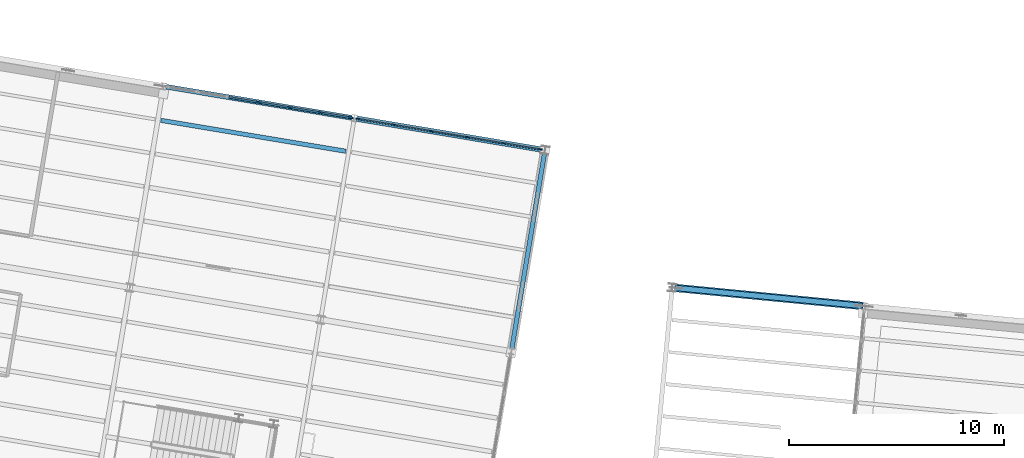
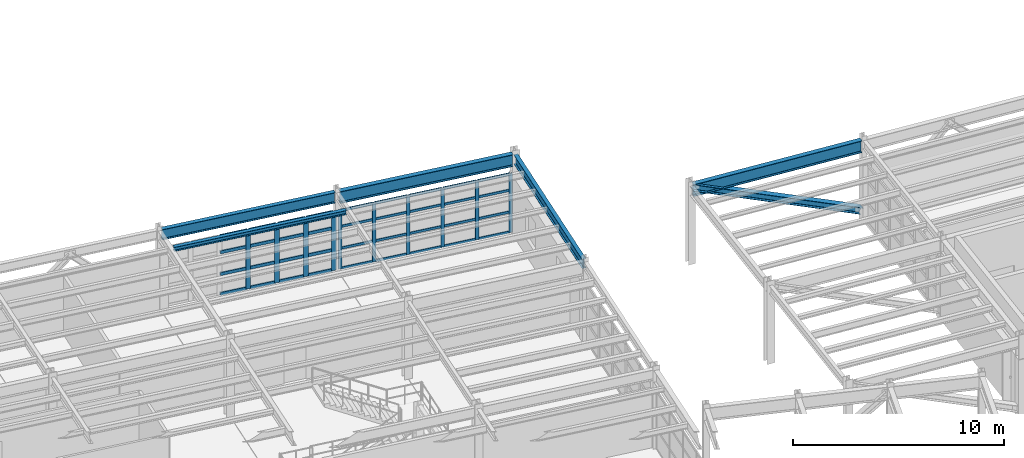
# One storey, part 46 of 109: 47 members, 5 beams, 2 elements without a shape of their own.
"""IFC4 building model written with IfcOpenShell, lengths in metres."""

from ifc_helpers import new_model, si_unit, direction, frame, origin, origin_2d, place, context, subcontext, project, spatial, rectangle, i_section, extrude, material, layer, layer_set, material_profile, profile_set, type_object, element, aggregate, save


model = new_model("IFC4")

# Units and contexts
model_context = context("Model", 3, precision=1e-05, world=origin(), true_north=direction((0.0, 1.0)))
body_context = subcontext(model_context, "Body", "Model", "MODEL_VIEW")
ifc_project = project(units=[si_unit("LENGTHUNIT", "METRE"), si_unit("AREAUNIT", "SQUARE_METRE"), si_unit("VOLUMEUNIT", "CUBIC_METRE"), si_unit("PLANEANGLEUNIT", "RADIAN"), si_unit("MASSUNIT", "GRAM", prefix="KILO")], contexts=[model_context])

# Site, building, storey
site_placement = place(None, origin())
site = spatial("IfcSite", under=ifc_project, at=site_placement, CompositionType="ELEMENT")
building_placement = place(site_placement, origin())
building = spatial("IfcBuilding", under=site, at=building_placement, Name="Vireo Bluff Cable Station", CompositionType="ELEMENT")
storey_placement = place(building_placement, frame((0.0, 0.0, 4.800048828125)))
storey = spatial("IfcBuildingStorey", under=building, at=storey_placement, Name="L01", CompositionType="ELEMENT", Elevation=4.800048828125)

# Curtain wall, members
ifc_material_1 = material(Name="Anodized Aluminium 6063-T6", Category="aluminium")
ifc_layer_1 = layer(ifc_material_1, 0.179931640625, Name="Anodized Aluminium 6063-T6")
ifc_layer_set_1 = layer_set([ifc_layer_1], Name="Anodized Aluminium 6063-T6")
curtain_wall_type_1 = type_object("IfcCurtainWallType", Name="CW-UNIT-1650", PredefinedType="USERDEFINED", material=ifc_layer_set_1)
curtain_wall_1_placement = place(storey_placement, origin())
curtain_wall_1 = element("IfcCurtainWall", 1, at=curtain_wall_1_placement, inside=storey, type_object=curtain_wall_type_1, Name="V4 L01 north curtain wall CW-092", ObjectType="UNITISED CURTAIN WALL", PredefinedType="USERDEFINED")
ifc_material_profile_1 = material_profile(ifc_material_1, rectangle(XDim=0.06494140625, YDim=0.179931640625, at=origin_2d()), Name="ALU-M-65X180")
ifc_profile_set_1 = profile_set([ifc_material_profile_1], Name="Anodized Aluminium 6063-T6")
member_type_1 = type_object("IfcMemberType", Name="CWM-01", PredefinedType="MULLION", material=ifc_profile_set_1)
member_1_placement = place(storey_placement, frame((45.869384765625, 93.640869140625, 0.0), z_axis=(0.0, 0.0, 1.0), x_axis=(0.165047675095, 0.986285589951, 0.0)))
member_1 = element("IfcMember", 2, at=member_1_placement, type_object=member_type_1, Name="CW-092 mullion 1", PredefinedType="MULLION", context=body_context, shape_type="SweptSolid", body=[
    extrude(rectangle(XDim=0.06494140625, YDim=0.179931640625, at=origin_2d()), origin(), (0.0, 0.0, 1.0), 3.39990234375),
])
member_2_placement = place(storey_placement, frame((47.55029296875, 93.359375, 0.0), z_axis=(0.0, 0.0, 1.0), x_axis=(0.165047675095, 0.986285589951, 0.0)))
member_2 = element("IfcMember", 3, at=member_2_placement, type_object=member_type_1, Name="CW-092 mullion 2", PredefinedType="MULLION", context=body_context, shape_type="SweptSolid", body=[
    extrude(rectangle(XDim=0.06494140625, YDim=0.179931640625, at=origin_2d()), origin(), (0.0, 0.0, 1.0), 3.39990234375),
])
member_3_placement = place(storey_placement, frame((49.263427734375, 93.07275390625, 0.0), z_axis=(0.0, 0.0, 1.0), x_axis=(0.165047675095, 0.986285589951, 0.0)))
member_3 = element("IfcMember", 4, at=member_3_placement, type_object=member_type_1, Name="CW-092 mullion 3", PredefinedType="MULLION", context=body_context, shape_type="SweptSolid", body=[
    extrude(rectangle(XDim=0.06494140625, YDim=0.179931640625, at=origin_2d()), origin(), (0.0, 0.0, 1.0), 3.39990234375),
])
member_4_placement = place(storey_placement, frame((50.976318359375, 92.7861328125, 0.0), z_axis=(0.0, 0.0, 1.0), x_axis=(0.165047675095, 0.986285589951, 0.0)))
member_4 = element("IfcMember", 5, at=member_4_placement, type_object=member_type_1, Name="CW-092 mullion 4", PredefinedType="MULLION", context=body_context, shape_type="SweptSolid", body=[
    extrude(rectangle(XDim=0.06494140625, YDim=0.179931640625, at=origin_2d()), origin(), (0.0, 0.0, 1.0), 3.39990234375),
])
member_5_placement = place(storey_placement, frame((52.689208984375, 92.49951171875, 0.0), z_axis=(0.0, 0.0, 1.0), x_axis=(0.165047675095, 0.986285589951, 0.0)))
member_5 = element("IfcMember", 6, at=member_5_placement, type_object=member_type_1, Name="CW-092 mullion 5", PredefinedType="MULLION", context=body_context, shape_type="SweptSolid", body=[
    extrude(rectangle(XDim=0.06494140625, YDim=0.179931640625, at=origin_2d()), origin(), (0.0, 0.0, 1.0), 3.39990234375),
])
member_6_placement = place(storey_placement, frame((54.3701171875, 92.21826171875, 0.0), z_axis=(0.0, 0.0, 1.0), x_axis=(0.165047675095, 0.986285589951, 0.0)))
member_6 = element("IfcMember", 7, at=member_6_placement, type_object=member_type_1, Name="CW-092 mullion 6", PredefinedType="MULLION", context=body_context, shape_type="SweptSolid", body=[
    extrude(rectangle(XDim=0.06494140625, YDim=0.179931640625, at=origin_2d()), origin(), (0.0, 0.0, 1.0), 3.39990234375),
])

ifc_layer_2 = layer(ifc_material_1, 0.179931640625, Name="Anodized Aluminium 6063-T6")
ifc_layer_set_2 = layer_set([ifc_layer_2], Name="Anodized Aluminium 6063-T6")
curtain_wall_type_2 = type_object("IfcCurtainWallType", Name="CW-UNIT-1500", PredefinedType="USERDEFINED", material=ifc_layer_set_2)
curtain_wall_2_placement = place(storey_placement, origin())
curtain_wall_2 = element("IfcCurtainWall", 8, at=curtain_wall_2_placement, inside=storey, type_object=curtain_wall_type_2, Name="V4 L01 north curtain wall CW-091", ObjectType="UNITISED CURTAIN WALL", PredefinedType="USERDEFINED")
ifc_material_profile_2 = material_profile(ifc_material_1, rectangle(XDim=0.080078125, YDim=0.239990234375, at=origin_2d()), Name="ALU-M-80X240")
ifc_profile_set_2 = profile_set([ifc_material_profile_2], Name="Anodized Aluminium 6063-T6")
member_type_2 = type_object("IfcMemberType", Name="CWM-04", PredefinedType="MULLION", material=ifc_profile_set_2)
member_7_placement = place(storey_placement, frame((41.27197265625, 94.41015625, 0.0), z_axis=(0.0, 0.0, 1.0), x_axis=(0.165047581847, 0.986285605556, 0.0)))
member_7 = element("IfcMember", 9, at=member_7_placement, type_object=member_type_2, Name="CW-091 mullion 4", PredefinedType="MULLION", context=body_context, shape_type="SweptSolid", body=[
    extrude(rectangle(XDim=0.080078125, YDim=0.239990234375, at=origin_2d()), origin(), (0.0, 0.0, 1.0), 3.39990234375),
])
member_8_placement = place(storey_placement, frame((42.708984375, 94.169677734375, 0.0), z_axis=(0.0, 0.0, 1.0), x_axis=(0.165047581847, 0.986285605556, 0.0)))
member_8 = element("IfcMember", 10, at=member_8_placement, type_object=member_type_2, Name="CW-091 mullion 5", PredefinedType="MULLION", context=body_context, shape_type="SweptSolid", body=[
    extrude(rectangle(XDim=0.080078125, YDim=0.239990234375, at=origin_2d()), origin(), (0.0, 0.0, 1.0), 3.39990234375),
])
member_9_placement = place(storey_placement, frame((44.14599609375, 93.92919921875, 0.0), z_axis=(0.0, 0.0, 1.0), x_axis=(0.165047581847, 0.986285605556, 0.0)))
member_9 = element("IfcMember", 11, at=member_9_placement, type_object=member_type_2, Name="CW-091 mullion 6", PredefinedType="MULLION", context=body_context, shape_type="SweptSolid", body=[
    extrude(rectangle(XDim=0.080078125, YDim=0.239990234375, at=origin_2d()), origin(), (0.0, 0.0, 1.0), 3.39990234375),
])
member_10_placement = place(storey_placement, frame((45.54345703125, 93.6953125, 0.0), z_axis=(0.0, 0.0, 1.0), x_axis=(0.165047581847, 0.986285605556, 0.0)))
member_10 = element("IfcMember", 12, at=member_10_placement, type_object=member_type_2, Name="CW-091 mullion 7", PredefinedType="MULLION", context=body_context, shape_type="SweptSolid", body=[
    extrude(rectangle(XDim=0.080078125, YDim=0.239990234375, at=origin_2d()), origin(), (0.0, 0.0, 1.0), 3.39990234375),
])

# Member
ifc_material_profile_3 = material_profile(ifc_material_1, rectangle(XDim=0.06494140625, YDim=0.139892578125, at=origin_2d()), Name="ALU-T-65X140")
ifc_profile_set_3 = profile_set([ifc_material_profile_3], Name="Anodized Aluminium 6063-T6")
member_type_3 = type_object("IfcMemberType", Name="CWT-01", PredefinedType="USERDEFINED", material=ifc_profile_set_3)
member_11_placement = place(storey_placement, frame((45.9013671875, 93.635498046875, 0.032470703125), z_axis=(0.986268872531, -0.165147543355, 0.0), x_axis=(0.165147543355, 0.986268872531, 0.0)))
member_11 = element("IfcMember", 13, at=member_11_placement, type_object=member_type_3, Name="CW-092 transom 1.1", ObjectType="TRANSOM", PredefinedType="USERDEFINED", context=body_context, shape_type="SweptSolid", body=[
    extrude(rectangle(XDim=0.06494140625, YDim=0.139892578125, at=origin_2d()), origin(), (0.0, 0.0, 1.0), 1.639404296875),
])

member_12_placement = place(storey_placement, frame((45.9013671875, 93.635498046875, 1.18994140625), z_axis=(0.986268872531, -0.165147543355, 0.0), x_axis=(0.165147543355, 0.986268872531, 0.0)))
member_12 = element("IfcMember", 14, at=member_12_placement, type_object=member_type_3, Name="CW-092 transom 1.2", ObjectType="TRANSOM", PredefinedType="USERDEFINED", context=body_context, shape_type="SweptSolid", body=[
    extrude(rectangle(XDim=0.06494140625, YDim=0.139892578125, at=origin_2d()), origin(), (0.0, 0.0, 1.0), 1.639404296875),
])

member_13_placement = place(storey_placement, frame((45.9013671875, 93.635498046875, 2.447998046875), z_axis=(0.986268872531, -0.165147543355, 0.0), x_axis=(0.165147543355, 0.986268872531, 0.0)))
member_13 = element("IfcMember", 15, at=member_13_placement, type_object=member_type_3, Name="CW-092 transom 1.3", ObjectType="TRANSOM", PredefinedType="USERDEFINED", context=body_context, shape_type="SweptSolid", body=[
    extrude(rectangle(XDim=0.06494140625, YDim=0.139892578125, at=origin_2d()), origin(), (0.0, 0.0, 1.0), 1.639404296875),
])

member_14_placement = place(storey_placement, frame((45.9013671875, 93.635498046875, 3.367431640625), z_axis=(0.986268872531, -0.165147543355, 0.0), x_axis=(0.165147543355, 0.986268872531, 0.0)))
member_14 = element("IfcMember", 16, at=member_14_placement, type_object=member_type_3, Name="CW-092 transom 1.4", ObjectType="TRANSOM", PredefinedType="USERDEFINED", context=body_context, shape_type="SweptSolid", body=[
    extrude(rectangle(XDim=0.06494140625, YDim=0.139892578125, at=origin_2d()), origin(), (0.0, 0.0, 1.0), 1.639404296875),
])

member_15_placement = place(storey_placement, frame((47.58251953125, 93.35400390625, 0.032470703125), z_axis=(0.986287138283, -0.165038422369, 0.0), x_axis=(0.165038422369, 0.986287138283, 0.0)))
member_15 = element("IfcMember", 17, at=member_15_placement, type_object=member_type_3, Name="CW-092 transom 2.1", ObjectType="TRANSOM", PredefinedType="USERDEFINED", context=body_context, shape_type="SweptSolid", body=[
    extrude(rectangle(XDim=0.06494140625, YDim=0.139892578125, at=origin_2d()), origin(), (0.0, 0.0, 1.0), 1.671630859375),
])

member_16_placement = place(storey_placement, frame((47.58251953125, 93.35400390625, 1.18994140625), z_axis=(0.986287138283, -0.165038422369, 0.0), x_axis=(0.165038422369, 0.986287138283, 0.0)))
member_16 = element("IfcMember", 18, at=member_16_placement, type_object=member_type_3, Name="CW-092 transom 2.2", ObjectType="TRANSOM", PredefinedType="USERDEFINED", context=body_context, shape_type="SweptSolid", body=[
    extrude(rectangle(XDim=0.06494140625, YDim=0.139892578125, at=origin_2d()), origin(), (0.0, 0.0, 1.0), 1.671630859375),
])

member_17_placement = place(storey_placement, frame((47.58251953125, 93.35400390625, 2.447998046875), z_axis=(0.986287138283, -0.165038422369, 0.0), x_axis=(0.165038422369, 0.986287138283, 0.0)))
member_17 = element("IfcMember", 19, at=member_17_placement, type_object=member_type_3, Name="CW-092 transom 2.3", ObjectType="TRANSOM", PredefinedType="USERDEFINED", context=body_context, shape_type="SweptSolid", body=[
    extrude(rectangle(XDim=0.06494140625, YDim=0.139892578125, at=origin_2d()), origin(), (0.0, 0.0, 1.0), 1.671630859375),
])

member_18_placement = place(storey_placement, frame((47.58251953125, 93.35400390625, 3.367431640625), z_axis=(0.986287138283, -0.165038422369, 0.0), x_axis=(0.165038422369, 0.986287138283, 0.0)))
member_18 = element("IfcMember", 20, at=member_18_placement, type_object=member_type_3, Name="CW-092 transom 2.4", ObjectType="TRANSOM", PredefinedType="USERDEFINED", context=body_context, shape_type="SweptSolid", body=[
    extrude(rectangle(XDim=0.06494140625, YDim=0.139892578125, at=origin_2d()), origin(), (0.0, 0.0, 1.0), 1.671630859375),
])

member_19_placement = place(storey_placement, frame((49.29541015625, 93.0673828125, 0.032470703125), z_axis=(0.986291115533, -0.16501465214, 0.0), x_axis=(0.16501465214, 0.986291115533, 0.0)))
member_19 = element("IfcMember", 21, at=member_19_placement, type_object=member_type_3, Name="CW-092 transom 3.1", ObjectType="TRANSOM", PredefinedType="USERDEFINED", context=body_context, shape_type="SweptSolid", body=[
    extrude(rectangle(XDim=0.06494140625, YDim=0.139892578125, at=origin_2d()), origin(), (0.0, 0.0, 1.0), 1.671875),
])

member_20_placement = place(storey_placement, frame((49.29541015625, 93.0673828125, 1.18994140625), z_axis=(0.986291115533, -0.16501465214, 0.0), x_axis=(0.16501465214, 0.986291115533, 0.0)))
member_20 = element("IfcMember", 22, at=member_20_placement, type_object=member_type_3, Name="CW-092 transom 3.2", ObjectType="TRANSOM", PredefinedType="USERDEFINED", context=body_context, shape_type="SweptSolid", body=[
    extrude(rectangle(XDim=0.06494140625, YDim=0.139892578125, at=origin_2d()), origin(), (0.0, 0.0, 1.0), 1.671875),
])

member_21_placement = place(storey_placement, frame((49.29541015625, 93.0673828125, 2.447998046875), z_axis=(0.986291115533, -0.16501465214, 0.0), x_axis=(0.16501465214, 0.986291115533, 0.0)))
member_21 = element("IfcMember", 23, at=member_21_placement, type_object=member_type_3, Name="CW-092 transom 3.3", ObjectType="TRANSOM", PredefinedType="USERDEFINED", context=body_context, shape_type="SweptSolid", body=[
    extrude(rectangle(XDim=0.06494140625, YDim=0.139892578125, at=origin_2d()), origin(), (0.0, 0.0, 1.0), 1.671875),
])

member_22_placement = place(storey_placement, frame((49.29541015625, 93.0673828125, 3.367431640625), z_axis=(0.986291115533, -0.16501465214, 0.0), x_axis=(0.16501465214, 0.986291115533, 0.0)))
member_22 = element("IfcMember", 24, at=member_22_placement, type_object=member_type_3, Name="CW-092 transom 3.4", ObjectType="TRANSOM", PredefinedType="USERDEFINED", context=body_context, shape_type="SweptSolid", body=[
    extrude(rectangle(XDim=0.06494140625, YDim=0.139892578125, at=origin_2d()), origin(), (0.0, 0.0, 1.0), 1.671875),
])

member_23_placement = place(storey_placement, frame((51.00830078125, 92.78076171875, 0.032470703125), z_axis=(0.986291115533, -0.16501465214, 0.0), x_axis=(0.16501465214, 0.986291115533, 0.0)))
member_23 = element("IfcMember", 25, at=member_23_placement, type_object=member_type_3, Name="CW-092 transom 4.1", ObjectType="TRANSOM", PredefinedType="USERDEFINED", context=body_context, shape_type="SweptSolid", body=[
    extrude(rectangle(XDim=0.06494140625, YDim=0.139892578125, at=origin_2d()), origin(), (0.0, 0.0, 1.0), 1.671875),
])

member_24_placement = place(storey_placement, frame((51.00830078125, 92.78076171875, 1.18994140625), z_axis=(0.986291115533, -0.16501465214, 0.0), x_axis=(0.16501465214, 0.986291115533, 0.0)))
member_24 = element("IfcMember", 26, at=member_24_placement, type_object=member_type_3, Name="CW-092 transom 4.2", ObjectType="TRANSOM", PredefinedType="USERDEFINED", context=body_context, shape_type="SweptSolid", body=[
    extrude(rectangle(XDim=0.06494140625, YDim=0.139892578125, at=origin_2d()), origin(), (0.0, 0.0, 1.0), 1.671875),
])

member_25_placement = place(storey_placement, frame((51.00830078125, 92.78076171875, 2.447998046875), z_axis=(0.986291115533, -0.16501465214, 0.0), x_axis=(0.16501465214, 0.986291115533, 0.0)))
member_25 = element("IfcMember", 27, at=member_25_placement, type_object=member_type_3, Name="CW-092 transom 4.3", ObjectType="TRANSOM", PredefinedType="USERDEFINED", context=body_context, shape_type="SweptSolid", body=[
    extrude(rectangle(XDim=0.06494140625, YDim=0.139892578125, at=origin_2d()), origin(), (0.0, 0.0, 1.0), 1.671875),
])

member_26_placement = place(storey_placement, frame((51.00830078125, 92.78076171875, 3.367431640625), z_axis=(0.986291115533, -0.16501465214, 0.0), x_axis=(0.16501465214, 0.986291115533, 0.0)))
member_26 = element("IfcMember", 28, at=member_26_placement, type_object=member_type_3, Name="CW-092 transom 4.4", ObjectType="TRANSOM", PredefinedType="USERDEFINED", context=body_context, shape_type="SweptSolid", body=[
    extrude(rectangle(XDim=0.06494140625, YDim=0.139892578125, at=origin_2d()), origin(), (0.0, 0.0, 1.0), 1.671875),
])

member_27_placement = place(storey_placement, frame((52.721435546875, 92.494140625, 0.032470703125), z_axis=(0.98628906251, -0.16502692257, 0.0), x_axis=(0.16502692257, 0.98628906251, 0.0)))
member_27 = element("IfcMember", 29, at=member_27_placement, type_object=member_type_3, Name="CW-092 transom 5.1", ObjectType="TRANSOM", PredefinedType="USERDEFINED", context=body_context, shape_type="SweptSolid", body=[
    extrude(rectangle(XDim=0.06494140625, YDim=0.139892578125, at=origin_2d()), origin(), (0.0, 0.0, 1.0), 1.63916015625),
])

member_28_placement = place(storey_placement, frame((52.721435546875, 92.494140625, 1.18994140625), z_axis=(0.98628906251, -0.16502692257, 0.0), x_axis=(0.16502692257, 0.98628906251, 0.0)))
member_28 = element("IfcMember", 30, at=member_28_placement, type_object=member_type_3, Name="CW-092 transom 5.2", ObjectType="TRANSOM", PredefinedType="USERDEFINED", context=body_context, shape_type="SweptSolid", body=[
    extrude(rectangle(XDim=0.06494140625, YDim=0.139892578125, at=origin_2d()), origin(), (0.0, 0.0, 1.0), 1.63916015625),
])

member_29_placement = place(storey_placement, frame((52.721435546875, 92.494140625, 2.447998046875), z_axis=(0.98628906251, -0.16502692257, 0.0), x_axis=(0.16502692257, 0.98628906251, 0.0)))
member_29 = element("IfcMember", 31, at=member_29_placement, type_object=member_type_3, Name="CW-092 transom 5.3", ObjectType="TRANSOM", PredefinedType="USERDEFINED", context=body_context, shape_type="SweptSolid", body=[
    extrude(rectangle(XDim=0.06494140625, YDim=0.139892578125, at=origin_2d()), origin(), (0.0, 0.0, 1.0), 1.63916015625),
])

member_30_placement = place(storey_placement, frame((52.721435546875, 92.494140625, 3.367431640625), z_axis=(0.98628906251, -0.16502692257, 0.0), x_axis=(0.16502692257, 0.98628906251, 0.0)))
member_30 = element("IfcMember", 32, at=member_30_placement, type_object=member_type_3, Name="CW-092 transom 5.4", ObjectType="TRANSOM", PredefinedType="USERDEFINED", context=body_context, shape_type="SweptSolid", body=[
    extrude(rectangle(XDim=0.06494140625, YDim=0.139892578125, at=origin_2d()), origin(), (0.0, 0.0, 1.0), 1.63916015625),
])

aggregate(curtain_wall_1, [member_1, member_2, member_3, member_4, member_5, member_6, member_11, member_12, member_13, member_14, member_15, member_16, member_17, member_18, member_19, member_20, member_21, member_22, member_23, member_24, member_25, member_26, member_27, member_28, member_29, member_30])

ifc_material_profile_4 = material_profile(ifc_material_1, rectangle(XDim=0.080078125, YDim=0.175048828125, at=origin_2d()), Name="ALU-T-80X175")
ifc_profile_set_4 = profile_set([ifc_material_profile_4], Name="Anodized Aluminium 6063-T6")
member_type_4 = type_object("IfcMemberType", Name="CWT-04", PredefinedType="USERDEFINED", material=ifc_profile_set_4)
member_31_placement = place(storey_placement, frame((39.874267578125, 94.64404296875, 0.0400390625), z_axis=(0.986283492741, -0.165060207036, 0.0), x_axis=(0.165060207036, 0.986283492741, 0.0)))
member_31 = element("IfcMember", 33, at=member_31_placement, type_object=member_type_4, Name="CW-091 transom 3.1", ObjectType="TRANSOM", PredefinedType="USERDEFINED", context=body_context, shape_type="SweptSolid", body=[
    extrude(rectangle(XDim=0.080078125, YDim=0.175048828125, at=origin_2d()), origin(), (0.0, 0.0, 1.0), 1.376953125),
])

member_32_placement = place(storey_placement, frame((39.874267578125, 94.64404296875, 1.18994140625), z_axis=(0.986283492741, -0.165060207036, 0.0), x_axis=(0.165060207036, 0.986283492741, 0.0)))
member_32 = element("IfcMember", 34, at=member_32_placement, type_object=member_type_4, Name="CW-091 transom 3.2", ObjectType="TRANSOM", PredefinedType="USERDEFINED", context=body_context, shape_type="SweptSolid", body=[
    extrude(rectangle(XDim=0.080078125, YDim=0.175048828125, at=origin_2d()), origin(), (0.0, 0.0, 1.0), 1.376953125),
])

member_33_placement = place(storey_placement, frame((39.874267578125, 94.64404296875, 2.447998046875), z_axis=(0.986283492741, -0.165060207036, 0.0), x_axis=(0.165060207036, 0.986283492741, 0.0)))
member_33 = element("IfcMember", 35, at=member_33_placement, type_object=member_type_4, Name="CW-091 transom 3.3", ObjectType="TRANSOM", PredefinedType="USERDEFINED", context=body_context, shape_type="SweptSolid", body=[
    extrude(rectangle(XDim=0.080078125, YDim=0.175048828125, at=origin_2d()), origin(), (0.0, 0.0, 1.0), 1.376953125),
])

member_34_placement = place(storey_placement, frame((39.874267578125, 94.64404296875, 3.35986328125), z_axis=(0.986283492741, -0.165060207036, 0.0), x_axis=(0.165060207036, 0.986283492741, 0.0)))
member_34 = element("IfcMember", 36, at=member_34_placement, type_object=member_type_4, Name="CW-091 transom 3.4", ObjectType="TRANSOM", PredefinedType="USERDEFINED", context=body_context, shape_type="SweptSolid", body=[
    extrude(rectangle(XDim=0.080078125, YDim=0.175048828125, at=origin_2d()), origin(), (0.0, 0.0, 1.0), 1.376953125),
])

member_35_placement = place(storey_placement, frame((41.311279296875, 94.403564453125, 0.0400390625), z_axis=(0.986283492741, -0.165060207036, 0.0), x_axis=(0.165060207036, 0.986283492741, 0.0)))
member_35 = element("IfcMember", 37, at=member_35_placement, type_object=member_type_4, Name="CW-091 transom 4.1", ObjectType="TRANSOM", PredefinedType="USERDEFINED", context=body_context, shape_type="SweptSolid", body=[
    extrude(rectangle(XDim=0.080078125, YDim=0.175048828125, at=origin_2d()), origin(), (0.0, 0.0, 1.0), 1.376953125),
])

member_36_placement = place(storey_placement, frame((41.311279296875, 94.403564453125, 1.18994140625), z_axis=(0.986283492741, -0.165060207036, 0.0), x_axis=(0.165060207036, 0.986283492741, 0.0)))
member_36 = element("IfcMember", 38, at=member_36_placement, type_object=member_type_4, Name="CW-091 transom 4.2", ObjectType="TRANSOM", PredefinedType="USERDEFINED", context=body_context, shape_type="SweptSolid", body=[
    extrude(rectangle(XDim=0.080078125, YDim=0.175048828125, at=origin_2d()), origin(), (0.0, 0.0, 1.0), 1.376953125),
])

member_37_placement = place(storey_placement, frame((41.311279296875, 94.403564453125, 2.447998046875), z_axis=(0.986283492741, -0.165060207036, 0.0), x_axis=(0.165060207036, 0.986283492741, 0.0)))
member_37 = element("IfcMember", 39, at=member_37_placement, type_object=member_type_4, Name="CW-091 transom 4.3", ObjectType="TRANSOM", PredefinedType="USERDEFINED", context=body_context, shape_type="SweptSolid", body=[
    extrude(rectangle(XDim=0.080078125, YDim=0.175048828125, at=origin_2d()), origin(), (0.0, 0.0, 1.0), 1.376953125),
])

member_38_placement = place(storey_placement, frame((41.311279296875, 94.403564453125, 3.35986328125), z_axis=(0.986283492741, -0.165060207036, 0.0), x_axis=(0.165060207036, 0.986283492741, 0.0)))
member_38 = element("IfcMember", 40, at=member_38_placement, type_object=member_type_4, Name="CW-091 transom 4.4", ObjectType="TRANSOM", PredefinedType="USERDEFINED", context=body_context, shape_type="SweptSolid", body=[
    extrude(rectangle(XDim=0.080078125, YDim=0.175048828125, at=origin_2d()), origin(), (0.0, 0.0, 1.0), 1.376953125),
])

member_39_placement = place(storey_placement, frame((42.748291015625, 94.1630859375, 0.0400390625), z_axis=(0.986283492741, -0.165060207036, 0.0), x_axis=(0.165060207036, 0.986283492741, 0.0)))
member_39 = element("IfcMember", 41, at=member_39_placement, type_object=member_type_4, Name="CW-091 transom 5.1", ObjectType="TRANSOM", PredefinedType="USERDEFINED", context=body_context, shape_type="SweptSolid", body=[
    extrude(rectangle(XDim=0.080078125, YDim=0.175048828125, at=origin_2d()), origin(), (0.0, 0.0, 1.0), 1.376953125),
])

member_40_placement = place(storey_placement, frame((42.748291015625, 94.1630859375, 1.18994140625), z_axis=(0.986283492741, -0.165060207036, 0.0), x_axis=(0.165060207036, 0.986283492741, 0.0)))
member_40 = element("IfcMember", 42, at=member_40_placement, type_object=member_type_4, Name="CW-091 transom 5.2", ObjectType="TRANSOM", PredefinedType="USERDEFINED", context=body_context, shape_type="SweptSolid", body=[
    extrude(rectangle(XDim=0.080078125, YDim=0.175048828125, at=origin_2d()), origin(), (0.0, 0.0, 1.0), 1.376953125),
])

member_41_placement = place(storey_placement, frame((42.748291015625, 94.1630859375, 2.447998046875), z_axis=(0.986283492741, -0.165060207036, 0.0), x_axis=(0.165060207036, 0.986283492741, 0.0)))
member_41 = element("IfcMember", 43, at=member_41_placement, type_object=member_type_4, Name="CW-091 transom 5.3", ObjectType="TRANSOM", PredefinedType="USERDEFINED", context=body_context, shape_type="SweptSolid", body=[
    extrude(rectangle(XDim=0.080078125, YDim=0.175048828125, at=origin_2d()), origin(), (0.0, 0.0, 1.0), 1.376953125),
])

member_42_placement = place(storey_placement, frame((42.748291015625, 94.1630859375, 3.35986328125), z_axis=(0.986283492741, -0.165060207036, 0.0), x_axis=(0.165060207036, 0.986283492741, 0.0)))
member_42 = element("IfcMember", 44, at=member_42_placement, type_object=member_type_4, Name="CW-091 transom 5.4", ObjectType="TRANSOM", PredefinedType="USERDEFINED", context=body_context, shape_type="SweptSolid", body=[
    extrude(rectangle(XDim=0.080078125, YDim=0.175048828125, at=origin_2d()), origin(), (0.0, 0.0, 1.0), 1.376953125),
])

member_43_placement = place(storey_placement, frame((44.185302734375, 93.922607421875, 0.0400390625), z_axis=(0.986280173958, -0.165080036522, 0.0), x_axis=(0.165080036522, 0.986280173958, 0.0)))
member_43 = element("IfcMember", 45, at=member_43_placement, type_object=member_type_4, Name="CW-091 transom 6.1", ObjectType="TRANSOM", PredefinedType="USERDEFINED", context=body_context, shape_type="SweptSolid", body=[
    extrude(rectangle(XDim=0.080078125, YDim=0.175048828125, at=origin_2d()), origin(), (0.0, 0.0, 1.0), 1.3369140625),
])

member_44_placement = place(storey_placement, frame((44.185302734375, 93.922607421875, 1.18994140625), z_axis=(0.986280173958, -0.165080036522, 0.0), x_axis=(0.165080036522, 0.986280173958, 0.0)))
member_44 = element("IfcMember", 46, at=member_44_placement, type_object=member_type_4, Name="CW-091 transom 6.2", ObjectType="TRANSOM", PredefinedType="USERDEFINED", context=body_context, shape_type="SweptSolid", body=[
    extrude(rectangle(XDim=0.080078125, YDim=0.175048828125, at=origin_2d()), origin(), (0.0, 0.0, 1.0), 1.3369140625),
])

member_45_placement = place(storey_placement, frame((44.185302734375, 93.922607421875, 2.447998046875), z_axis=(0.986280173958, -0.165080036522, 0.0), x_axis=(0.165080036522, 0.986280173958, 0.0)))
member_45 = element("IfcMember", 47, at=member_45_placement, type_object=member_type_4, Name="CW-091 transom 6.3", ObjectType="TRANSOM", PredefinedType="USERDEFINED", context=body_context, shape_type="SweptSolid", body=[
    extrude(rectangle(XDim=0.080078125, YDim=0.175048828125, at=origin_2d()), origin(), (0.0, 0.0, 1.0), 1.3369140625),
])

member_46_placement = place(storey_placement, frame((44.185302734375, 93.922607421875, 3.35986328125), z_axis=(0.986280173958, -0.165080036522, 0.0), x_axis=(0.165080036522, 0.986280173958, 0.0)))
member_46 = element("IfcMember", 48, at=member_46_placement, type_object=member_type_4, Name="CW-091 transom 6.4", ObjectType="TRANSOM", PredefinedType="USERDEFINED", context=body_context, shape_type="SweptSolid", body=[
    extrude(rectangle(XDim=0.080078125, YDim=0.175048828125, at=origin_2d()), origin(), (0.0, 0.0, 1.0), 1.3369140625),
])

aggregate(curtain_wall_2, [member_7, member_8, member_9, member_10, member_31, member_32, member_33, member_34, member_35, member_36, member_37, member_38, member_39, member_40, member_41, member_42, member_43, member_44, member_45, member_46])

# Beams
ifc_material_2 = material(Name="Steel ASTM A992 Gr. 50", Category="steel")
ifc_material_profile_5 = material_profile(ifc_material_2, i_section(OverallWidth=0.201904296875, OverallDepth=0.2470703125, WebThickness=0.00732421875, FlangeThickness=0.010986328125, FilletRadius=0.009033203125, at=origin_2d()), Name="W10X33")
ifc_profile_set_5 = profile_set([ifc_material_profile_5], Name="Steel ASTM A992 Gr. 50")
beam_type_1 = type_object("IfcBeamType", Name="JST-W10X33", PredefinedType="JOIST", material=ifc_profile_set_5)
beam_1_placement = place(storey_placement, frame((36.710205078125, 93.568115234375, 4.41650390625), z_axis=(0.986286264339, -0.165043645063, 0.0), x_axis=(0.165043645063, 0.986286264339, 0.0)))
element("IfcBeam", 49, at=beam_1_placement, inside=storey, type_object=beam_type_1, Name="V4 L01 composite joist 962", PredefinedType="JOIST", context=body_context, shape_type="SweptSolid", body=[
    extrude(i_section(OverallWidth=0.201904296875, OverallDepth=0.2470703125, WebThickness=0.00732421875, FlangeThickness=0.010986328125, FilletRadius=0.009033203125, at=origin_2d()), origin(), (0.0, 0.0, 1.0), 8.72021484375),
])
ifc_material_profile_6 = material_profile(ifc_material_2, i_section(OverallWidth=0.2099609375, OverallDepth=0.535888671875, WebThickness=0.010986328125, FlangeThickness=0.017333984375, FilletRadius=0.012939453125, at=origin_2d()), Name="W21X68")
ifc_profile_set_6 = profile_set([ifc_material_profile_6], Name="Steel ASTM A992 Gr. 50")
beam_type_2 = type_object("IfcBeamType", Name="SPN-W21X68", PredefinedType="SPANDREL", material=ifc_profile_set_6)
beam_2_placement = place(storey_placement, frame((53.03857421875, 82.9306640625, 4.27197265625), z_axis=(0.165044536891, 0.986286115102, 0.0), x_axis=(-0.986286115102, 0.165044536891, 0.0)))
element("IfcBeam", 50, at=beam_2_placement, inside=storey, type_object=beam_type_2, Name="V4 L01 spandrel 909", PredefinedType="SPANDREL", context=body_context, shape_type="SweptSolid", body=[
    extrude(i_section(OverallWidth=0.2099609375, OverallDepth=0.535888671875, WebThickness=0.010986328125, FlangeThickness=0.017333984375, FilletRadius=0.012939453125, at=origin_2d()), origin(), (0.0, 0.0, 1.0), 9.260009765625),
])
ifc_material_profile_7 = material_profile(ifc_material_2, i_section(OverallWidth=0.22802734375, OverallDepth=0.60693359375, WebThickness=0.01123046875, FlangeThickness=0.017333984375, FilletRadius=0.012939453125, at=origin_2d()), Name="W24X76")
ifc_profile_set_7 = profile_set([ifc_material_profile_7], Name="Steel ASTM A992 Gr. 50")
beam_type_3 = type_object("IfcBeamType", Name="SPN-W24X76", PredefinedType="SPANDREL", material=ifc_profile_set_7)
beam_3_placement = place(storey_placement, frame((36.951904296875, 95.133056640625, 4.236572265625), z_axis=(0.986285998922, -0.165045231163, 0.0), x_axis=(0.165045231163, 0.986285998922, 0.0)))
element("IfcBeam", 51, at=beam_3_placement, inside=storey, type_object=beam_type_3, Name="V4 L01 spandrel 890", PredefinedType="SPANDREL", context=body_context, shape_type="SweptSolid", body=[
    extrude(i_section(OverallWidth=0.22802734375, OverallDepth=0.60693359375, WebThickness=0.01123046875, FlangeThickness=0.017333984375, FilletRadius=0.012939453125, at=origin_2d()), origin(), (0.0, 0.0, 1.0), 8.760009765625),
])
ifc_material_profile_8 = material_profile(ifc_material_2, i_section(OverallWidth=0.257080078125, OverallDepth=0.693115234375, WebThickness=0.014404296875, FlangeThickness=0.023681640625, FilletRadius=0.014892578125, at=origin_2d()), Name="W27X114")
ifc_profile_set_8 = profile_set([ifc_material_profile_8], Name="Steel ASTM A992 Gr. 50")
beam_type_4 = type_object("IfcBeamType", Name="SPN-W27X114", PredefinedType="SPANDREL", material=ifc_profile_set_8)
for number, where, z_axis, x_axis, name in (
    (52, (60.624267578125, 85.772216796875, 4.193359375), (0.995396100932, -0.095846764416, 0.0), (0.095846764416, 0.995396100932, 0.0), "V3 L01 spandrel 699"),
    (53, (45.82861328125, 93.647705078125, 4.193359375), (0.986285239719, -0.16504976799, 0.0), (0.16504976799, 0.986285239719, 0.0), "V4 L01 spandrel 891"),
):
    element("IfcBeam", number, at=place(storey_placement, frame(where, z_axis=z_axis, x_axis=x_axis)), inside=storey, type_object=beam_type_4, Name=name, PredefinedType="SPANDREL", context=body_context, shape_type="SweptSolid", body=[
        extrude(i_section(OverallWidth=0.257080078125, OverallDepth=0.693115234375, WebThickness=0.014404296875, FlangeThickness=0.023681640625, FilletRadius=0.014892578125, at=origin_2d()), origin(), (0.0, 0.0, 1.0), 8.759765625),
    ])

# Member
ifc_material_profile_9 = material_profile(ifc_material_2, i_section(OverallWidth=0.367919921875, OverallDepth=0.35595703125, WebThickness=0.01123046875, FlangeThickness=0.01806640625, FilletRadius=0.014892578125, at=origin_2d()), Name="W14X90")
ifc_profile_set_9 = profile_set([ifc_material_profile_9], Name="Steel ASTM A992 Gr. 50")
member_type_5 = type_object("IfcMemberType", Name="STR-01", PredefinedType="STRUT", material=ifc_profile_set_9)
member_47_placement = place(storey_placement, frame((69.31396484375, 84.935302734375, 0.5), z_axis=(-0.909740161429, 0.087605180048, 0.405830224492), x_axis=(-0.095853520973, -0.99539545032, 0.0)))
element("IfcMember", 54, at=member_47_placement, inside=storey, type_object=member_type_5, Name="V3 viewing terrace raking strut 3", PredefinedType="STRUT", context=body_context, shape_type="SweptSolid", body=[
    extrude(i_section(OverallWidth=0.367919921875, OverallDepth=0.35595703125, WebThickness=0.01123046875, FlangeThickness=0.01806640625, FilletRadius=0.014892578125, at=origin_2d()), origin(), (0.0, 0.0, 1.0), 9.486328125),
])

save(model, "model.ifc")
